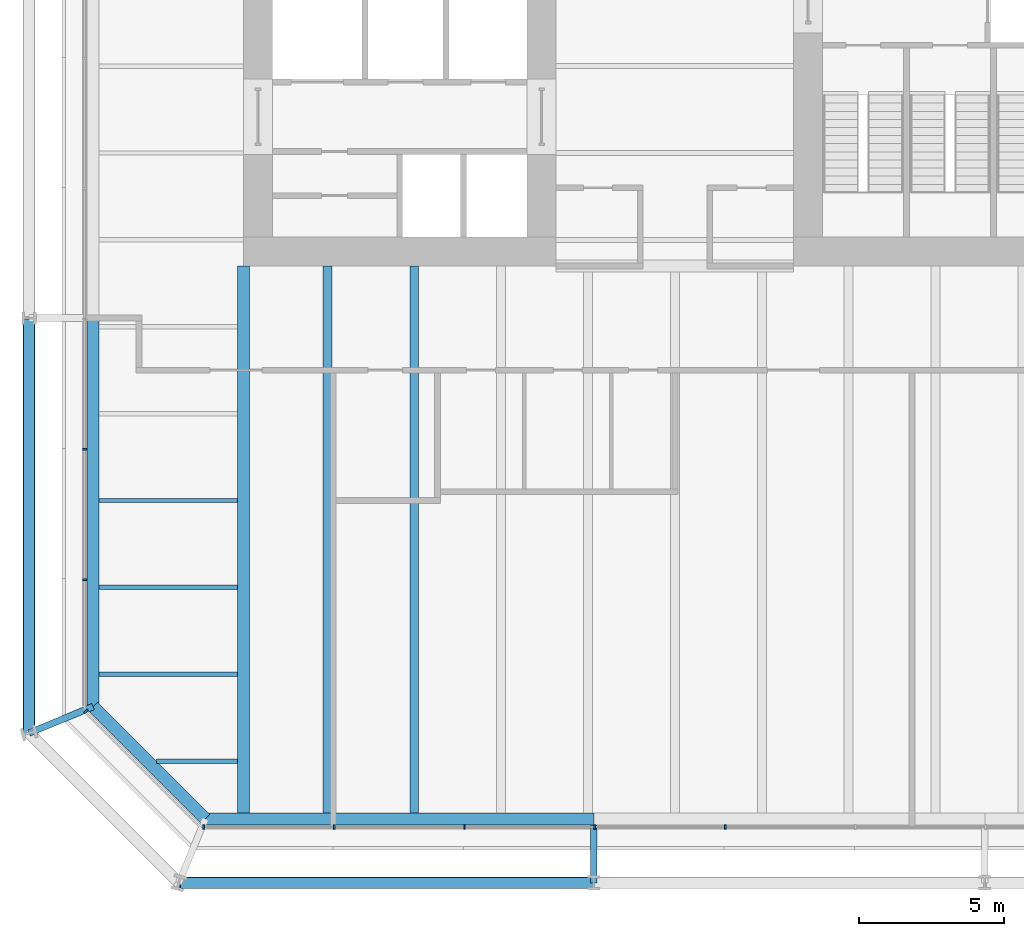
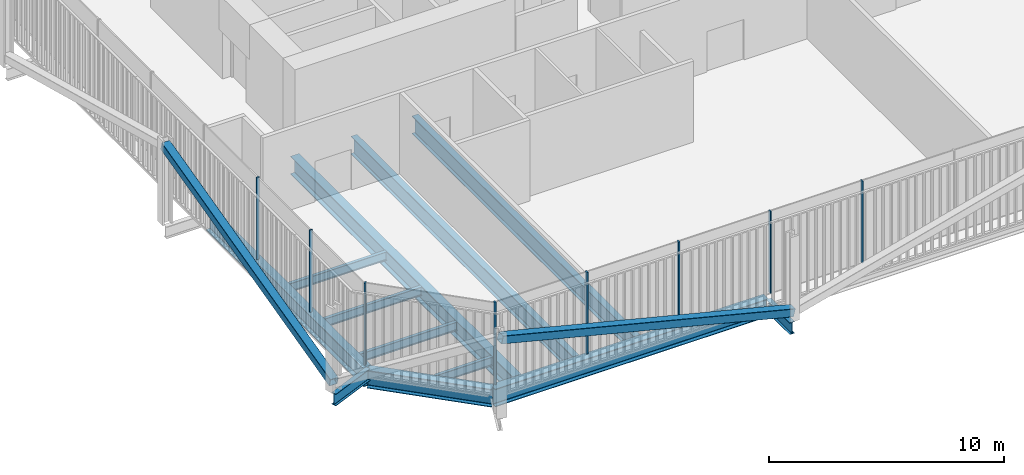
# One storey, part 2 of 21: 12 beams, 10 members, 3 elements without a shape of their own.
"""IFC4 building model written with IfcOpenShell, lengths in metres."""

from ifc_helpers import new_model, si_unit, direction, frame, origin, origin_2d, place, context, subcontext, project, spatial, rectangle, hollow_rectangle, i_section, extrude, material, layer, layer_set, material_profile, profile_set, type_object, element, aggregate, save


model = new_model("IFC4")

# Units and contexts
model_context = context("Model", 3, precision=1e-05, world=origin(), true_north=direction((0.0, 1.0)))
body_context = subcontext(model_context, "Body", "Model", "MODEL_VIEW")
ifc_project = project(units=[si_unit("LENGTHUNIT", "METRE"), si_unit("AREAUNIT", "SQUARE_METRE"), si_unit("VOLUMEUNIT", "CUBIC_METRE"), si_unit("PLANEANGLEUNIT", "RADIAN"), si_unit("MASSUNIT", "GRAM", prefix="KILO")], contexts=[model_context])

# Site, building, storey
site_placement = place(None, origin())
site = spatial("IfcSite", under=ifc_project, at=site_placement, CompositionType="ELEMENT")
building_placement = place(site_placement, origin())
building = spatial("IfcBuilding", under=site, at=building_placement, Name="Millrace Tower", CompositionType="ELEMENT")
storey_placement = place(building_placement, frame((0.0, 0.0, 90.800048828125)))
storey = spatial("IfcBuildingStorey", under=building, at=storey_placement, Name="L20", CompositionType="ELEMENT", Elevation=90.800048828125)

# Curtain wall, member
ifc_material_1 = material(Name="Aluminium and glass", Category="aluminium")
ifc_layer = layer(ifc_material_1, 0.14990234375)
ifc_layer_set = layer_set([ifc_layer], Name="Aluminium and glass")
curtain_wall_type = type_object("IfcCurtainWallType", Name="CW-3 telecom floor curtain wall", PredefinedType="NOTDEFINED", material=ifc_layer_set)
placement = place(storey_placement, origin())
curtain_wall_1 = element("IfcCurtainWall", 1, at=placement, inside=storey, type_object=curtain_wall_type, Name="Curtain wall B-F01 L20", PredefinedType="NOTDEFINED")
ifc_material_2 = material(Name="Aluminium", Category="aluminium")
ifc_material_profile_1 = material_profile(ifc_material_2, rectangle(XDim=0.06494140625, YDim=0.14990234375, at=origin_2d()))
ifc_profile_set_1 = profile_set([ifc_material_profile_1], Name="Aluminium")
member_type_1 = type_object("IfcMemberType", Name="CW-3 telecom floor curtain wall mullion", PredefinedType="MULLION", material=ifc_profile_set_1)
member_1_placement = place(storey_placement, frame((-20.330078125, -25.276123046875, 0.14990234375), z_axis=(0.0, 0.0, 1.0), x_axis=(0.707106781187, -0.707106781187, 0.0)))
member_1 = element("IfcMember", 2, at=member_1_placement, type_object=member_type_1, Name="CW3 mullion B-F01.1", PredefinedType="MULLION", context=body_context, shape_type="SweptSolid", body=[
    extrude(rectangle(XDim=0.06494140625, YDim=0.14990234375, at=origin_2d()), origin(), (0.0, 0.0, 1.0), 4.25),
])
aggregate(curtain_wall_1, [member_1])

# Curtain wall, members
curtain_wall_2 = element("IfcCurtainWall", 3, at=placement, inside=storey, type_object=curtain_wall_type, Name="Curtain wall B-F02 L20", PredefinedType="NOTDEFINED")
member_2_placement = place(storey_placement, frame((-16.267578125, -29.27490234375, 0.14990234375), z_axis=(0.0, 0.0, 1.0), x_axis=(1.0, 0.0, 0.0)))
member_2 = element("IfcMember", 4, at=member_2_placement, type_object=member_type_1, Name="CW3 mullion B-F02.1", PredefinedType="MULLION", context=body_context, shape_type="SweptSolid", body=[
    extrude(rectangle(XDim=0.06494140625, YDim=0.14990234375, at=origin_2d()), origin(), (0.0, 0.0, 1.0), 4.25),
])
member_3_placement = place(storey_placement, frame((-11.767578125, -29.27490234375, 0.14990234375), z_axis=(0.0, 0.0, 1.0), x_axis=(1.0, 0.0, 0.0)))
member_3 = element("IfcMember", 5, at=member_3_placement, type_object=member_type_1, Name="CW3 mullion B-F02.2", PredefinedType="MULLION", context=body_context, shape_type="SweptSolid", body=[
    extrude(rectangle(XDim=0.06494140625, YDim=0.14990234375, at=origin_2d()), origin(), (0.0, 0.0, 1.0), 4.25),
])
member_4_placement = place(storey_placement, frame((-7.267578125, -29.27490234375, 0.14990234375), z_axis=(0.0, 0.0, 1.0), x_axis=(1.0, 0.0, 0.0)))
member_4 = element("IfcMember", 6, at=member_4_placement, type_object=member_type_1, Name="CW3 mullion B-F02.3", PredefinedType="MULLION", context=body_context, shape_type="SweptSolid", body=[
    extrude(rectangle(XDim=0.06494140625, YDim=0.14990234375, at=origin_2d()), origin(), (0.0, 0.0, 1.0), 4.25),
])
member_5_placement = place(storey_placement, frame((-2.767578125, -29.27490234375, 0.14990234375), z_axis=(0.0, 0.0, 1.0), x_axis=(1.0, 0.0, 0.0)))
member_5 = element("IfcMember", 7, at=member_5_placement, type_object=member_type_1, Name="CW3 mullion B-F02.4", PredefinedType="MULLION", context=body_context, shape_type="SweptSolid", body=[
    extrude(rectangle(XDim=0.06494140625, YDim=0.14990234375, at=origin_2d()), origin(), (0.0, 0.0, 1.0), 4.25),
])
member_6_placement = place(storey_placement, frame((1.732421875, -29.27490234375, 0.14990234375), z_axis=(0.0, 0.0, 1.0), x_axis=(1.0, 0.0, 0.0)))
member_6 = element("IfcMember", 8, at=member_6_placement, type_object=member_type_1, Name="CW3 mullion B-F02.5", PredefinedType="MULLION", context=body_context, shape_type="SweptSolid", body=[
    extrude(rectangle(XDim=0.06494140625, YDim=0.14990234375, at=origin_2d()), origin(), (0.0, 0.0, 1.0), 4.25),
])
aggregate(curtain_wall_2, [member_2, member_3, member_4, member_5, member_6])

curtain_wall_3 = element("IfcCurtainWall", 9, at=placement, inside=storey, type_object=curtain_wall_type, Name="Curtain wall B-F08 L20", PredefinedType="NOTDEFINED")
member_7_placement = place(storey_placement, frame((-20.375, -16.232421875, 0.14990234375), z_axis=(0.0, 0.0, 1.0), x_axis=(0.0, -1.0, 0.0)))
member_7 = element("IfcMember", 10, at=member_7_placement, type_object=member_type_1, Name="CW3 mullion B-F08.8", PredefinedType="MULLION", context=body_context, shape_type="SweptSolid", body=[
    extrude(rectangle(XDim=0.06494140625, YDim=0.14990234375, at=origin_2d()), origin(), (0.0, 0.0, 1.0), 4.25),
])
member_8_placement = place(storey_placement, frame((-20.375, -20.732421875, 0.14990234375), z_axis=(0.0, 0.0, 1.0), x_axis=(0.0, -1.0, 0.0)))
member_8 = element("IfcMember", 11, at=member_8_placement, type_object=member_type_1, Name="CW3 mullion B-F08.9", PredefinedType="MULLION", context=body_context, shape_type="SweptSolid", body=[
    extrude(rectangle(XDim=0.06494140625, YDim=0.14990234375, at=origin_2d()), origin(), (0.0, 0.0, 1.0), 4.25),
])
aggregate(curtain_wall_3, [member_7, member_8])

# Members
ifc_material_3 = material(Name="Steel ASTM A500 Grade C", Category="steel")
ifc_material_profile_2 = material_profile(ifc_material_3, hollow_rectangle(XDim=0.406494140625, YDim=0.406494140625, WallThickness=0.015869140625, InnerFilletRadius=0.008056640625, OuterFilletRadius=0.02392578125, at=origin_2d()))
ifc_profile_set_2 = profile_set([ifc_material_profile_2], Name="Steel ASTM A500 Grade C")
member_type_2 = type_object("IfcMemberType", Name="Exoskeleton brace HSS16x16x5/8", PredefinedType="BRACE", material=ifc_profile_set_2)
for number, where, z_axis, x_axis, name in (
    (12, (-2.800048828125, -31.199951171875, 0.39990234375), (-0.969855058964, 0.0, 0.243682507787), (0.0, -1.0, 0.0), "BRC-B-L20-02"),
    (13, (-22.300048828125, -26.0283203125, 0.39990234375), (0.0, 0.969855058964, 0.243682507787), (-1.0, 0.0, 0.0), "BRC-B-L20-16"),
):
    element("IfcMember", number, at=place(storey_placement, frame(where, z_axis=z_axis, x_axis=x_axis)), inside=storey, type_object=member_type_2, Name=name, PredefinedType="BRACE", context=body_context, shape_type="SweptSolid", body=[
        extrude(hollow_rectangle(XDim=0.406494140625, YDim=0.406494140625, WallThickness=0.015869140625, InnerFilletRadius=0.008056640625, OuterFilletRadius=0.02392578125, at=origin_2d()), origin(), (0.0, 0.0, 1.0), 14.773681640625),
    ])

# Beams
ifc_material_4 = material(Name="Steel ASTM A992 Grade 50", Category="steel")
ifc_material_profile_3 = material_profile(ifc_material_4, i_section(OverallWidth=0.15234375, OverallDepth=0.449462890625, WebThickness=0.007568359375, FlangeThickness=0.0107421875, FilletRadius=0.01025390625, at=origin_2d()))
ifc_profile_set_3 = profile_set([ifc_material_profile_3], Name="Steel ASTM A992 Grade 50")
beam_type_1 = type_object("IfcBeamType", Name="Floor beam W18x35", PredefinedType="JOIST", material=ifc_profile_set_3)
for number, where, z_axis, x_axis, name in (
    (14, (-19.880859375, -24.0, -0.4248046875), (1.0, 0.0, 0.0), (0.0, 1.0, 0.0), "BM-B-L20-S1-S003"),
    (15, (-19.880859375, -21.0, -0.4248046875), (1.0, 0.0, 0.0), (0.0, 1.0, 0.0), "BM-B-L20-S1-S005"),
    (16, (-19.880859375, -18.0, -0.4248046875), (1.0, 0.0, 0.0), (0.0, 1.0, 0.0), "BM-B-L20-S1-S007"),
):
    element("IfcBeam", number, at=place(storey_placement, frame(where, z_axis=z_axis, x_axis=x_axis)), inside=storey, type_object=beam_type_1, Name=name, PredefinedType="JOIST", context=body_context, shape_type="SweptSolid", body=[
        extrude(i_section(OverallWidth=0.15234375, OverallDepth=0.449462890625, WebThickness=0.007568359375, FlangeThickness=0.0107421875, FilletRadius=0.01025390625, at=origin_2d()), origin(), (0.0, 0.0, 1.0), 4.77001953125),
    ])
beam_1_placement = place(storey_placement, frame((-17.895263671875, -27.0, -0.4248046875), z_axis=(1.0, 0.0, 0.0), x_axis=(0.0, 1.0, 0.0)))
element("IfcBeam", 17, at=beam_1_placement, inside=storey, type_object=beam_type_1, Name="BM-B-L20-S1-S001", PredefinedType="JOIST", context=body_context, shape_type="SweptSolid", body=[
    extrude(i_section(OverallWidth=0.15234375, OverallDepth=0.449462890625, WebThickness=0.007568359375, FlangeThickness=0.0107421875, FilletRadius=0.01025390625, at=origin_2d()), origin(), (0.0, 0.0, 1.0), 2.784423828125),
])
ifc_material_5 = material(Name="Steel ASTM A992 Grade 50", Category="steel")
ifc_material_profile_4 = material_profile(ifc_material_5, i_section(OverallWidth=0.307373046875, OverallDepth=0.927001953125, WebThickness=0.01953125, FlangeThickness=0.031982421875, FilletRadius=0.01904296875, at=origin_2d()))
ifc_profile_set_4 = profile_set([ifc_material_profile_4], Name="Steel ASTM A992 Grade 50")
beam_type_2 = type_object("IfcBeamType", Name="Floor beam W36x194", PredefinedType="JOIST", material=ifc_profile_set_4)
for number, where, z_axis, x_axis, name in (
    (18, (-12.0, -28.781005859375, -0.66357421875), (0.0, 1.0, 0.0), (-1.0, 0.0, 0.0), "BM-B-L20-S1-S041"),
    (19, (-9.0, -28.781005859375, -0.66357421875), (0.0, 1.0, 0.0), (-1.0, 0.0, 0.0), "BM-B-L20-S1-S043"),
):
    element("IfcBeam", number, at=place(storey_placement, frame(where, z_axis=z_axis, x_axis=x_axis)), inside=storey, type_object=beam_type_2, Name=name, PredefinedType="JOIST", context=body_context, shape_type="SweptSolid", body=[
        extrude(i_section(OverallWidth=0.307373046875, OverallDepth=0.927001953125, WebThickness=0.01953125, FlangeThickness=0.031982421875, FilletRadius=0.01904296875, at=origin_2d()), origin(), (0.0, 0.0, 1.0), 18.881103515625),
    ])
ifc_material_6 = material(Name="Steel ASTM A992 Grade 50", Category="steel")
ifc_material_profile_5 = material_profile(ifc_material_6, i_section(OverallWidth=0.424072265625, OverallDepth=0.947509765625, WebThickness=0.02392578125, FlangeThickness=0.042724609375, FilletRadius=0.024169921875, at=origin_2d()))
ifc_profile_set_5 = profile_set([ifc_material_profile_5], Name="Steel ASTM A992 Grade 50")
beam_type_3 = type_object("IfcBeamType", Name="Girder medium span W36x302", PredefinedType="BEAM", material=ifc_profile_set_5)
beam_2_placement = place(storey_placement, frame((-14.89990234375, -28.781005859375, -0.673828125), z_axis=(0.0, 1.0, 0.0), x_axis=(-1.0, 0.0, 0.0)))
element("IfcBeam", 20, at=beam_2_placement, inside=storey, type_object=beam_type_3, Name="BM-B-L20-S1-G059", PredefinedType="BEAM", context=body_context, shape_type="SweptSolid", body=[
    extrude(i_section(OverallWidth=0.424072265625, OverallDepth=0.947509765625, WebThickness=0.02392578125, FlangeThickness=0.042724609375, FilletRadius=0.024169921875, at=origin_2d()), origin(), (0.0, 0.0, 1.0), 18.881103515625),
])
ifc_material_7 = material(Name="Steel ASTM A992 Grade 50", Category="steel")
ifc_material_profile_6 = material_profile(ifc_material_7, i_section(OverallWidth=0.23046875, OverallDepth=0.6171875, WebThickness=0.01318359375, FlangeThickness=0.022216796875, FilletRadius=0.012939453125, at=origin_2d()))
ifc_profile_set_6 = profile_set([ifc_material_profile_6], Name="Steel ASTM A992 Grade 50")
beam_type_4 = type_object("IfcBeamType", Name="Link beam W24x94", PredefinedType="BEAM", material=ifc_profile_set_6)
beam_3_placement = place(storey_placement, frame((-20.09033203125, -25.11328125, -0.508544921875), z_axis=(-0.923917312949, -0.382592209583, 0.0), x_axis=(0.382592209583, -0.923917312949, 0.0)))
element("IfcBeam", 21, at=beam_3_placement, inside=storey, type_object=beam_type_4, Name="LNK-B-L20-S1-01", PredefinedType="BEAM", context=body_context, shape_type="SweptSolid", body=[
    extrude(i_section(OverallWidth=0.23046875, OverallDepth=0.6171875, WebThickness=0.01318359375, FlangeThickness=0.022216796875, FilletRadius=0.012939453125, at=origin_2d()), origin(), (0.0, 0.0, 1.0), 2.3916015625),
])
beam_4_placement = place(storey_placement, frame((-2.800048828125, -29.199951171875, -0.508544921875), z_axis=(0.0, -1.0, 0.0), x_axis=(1.0, 0.0, 0.0)))
element("IfcBeam", 22, at=beam_4_placement, inside=storey, type_object=beam_type_4, Name="LNK-B-L20-S1-15", PredefinedType="BEAM", context=body_context, shape_type="SweptSolid", body=[
    extrude(i_section(OverallWidth=0.23046875, OverallDepth=0.6171875, WebThickness=0.01318359375, FlangeThickness=0.022216796875, FilletRadius=0.012939453125, at=origin_2d()), origin(), (0.0, 0.0, 1.0), 2.0),
])
ifc_material_8 = material(Name="Steel ASTM A992 Grade 50", Category="steel")
ifc_material_profile_7 = material_profile(ifc_material_8, i_section(OverallWidth=0.419189453125, OverallDepth=0.927001953125, WebThickness=0.019287109375, FlangeThickness=0.031982421875, FilletRadius=0.024169921875, at=origin_2d()))
ifc_profile_set_7 = profile_set([ifc_material_profile_7], Name="Steel ASTM A992 Grade 50")
beam_type_5 = type_object("IfcBeamType", Name="Ring beam medium span W36x231", PredefinedType="SPANDREL", material=ifc_profile_set_7)
beam_5_placement = place(storey_placement, frame((-20.09033203125, -25.11328125, -0.66357421875), z_axis=(0.0, 1.0, 0.0), x_axis=(-1.0, 0.0, 0.0)))
element("IfcBeam", 23, at=beam_5_placement, inside=storey, type_object=beam_type_5, Name="RNG-B-L20-S1-01", PredefinedType="SPANDREL", context=body_context, shape_type="SweptSolid", body=[
    extrude(i_section(OverallWidth=0.419189453125, OverallDepth=0.927001953125, WebThickness=0.019287109375, FlangeThickness=0.031982421875, FilletRadius=0.024169921875, at=origin_2d()), origin(), (0.0, 0.0, 1.0), 13.413330078125),
])
beam_6_placement = place(storey_placement, frame((-2.800048828125, -28.990478515625, -0.66357421875), z_axis=(-1.0, 0.0, 0.0), x_axis=(0.0, -1.0, 0.0)))
element("IfcBeam", 24, at=beam_6_placement, inside=storey, type_object=beam_type_5, Name="RNG-B-L20-S1-15", PredefinedType="SPANDREL", context=body_context, shape_type="SweptSolid", body=[
    extrude(i_section(OverallWidth=0.419189453125, OverallDepth=0.927001953125, WebThickness=0.019287109375, FlangeThickness=0.031982421875, FilletRadius=0.024169921875, at=origin_2d()), origin(), (0.0, 0.0, 1.0), 13.4130859375),
])
ifc_material_9 = material(Name="Steel ASTM A992 Grade 50", Category="steel")
ifc_material_profile_8 = material_profile(ifc_material_9, i_section(OverallWidth=0.419189453125, OverallDepth=0.927001953125, WebThickness=0.019287109375, FlangeThickness=0.031982421875, FilletRadius=0.024169921875, at=origin_2d()))
ifc_profile_set_8 = profile_set([ifc_material_profile_8], Name="Steel ASTM A992 Grade 50")
beam_type_6 = type_object("IfcBeamType", Name="Ring beam short span W36x231", PredefinedType="SPANDREL", material=ifc_profile_set_8)
beam_7_placement = place(storey_placement, frame((-16.213134765625, -28.990478515625, -0.66357421875), z_axis=(-0.707106781187, 0.707106781187, 0.0), x_axis=(-0.707106781187, -0.707106781187, 0.0)))
element("IfcBeam", 25, at=beam_7_placement, inside=storey, type_object=beam_type_6, Name="RNG-B-L20-S1-16", PredefinedType="SPANDREL", context=body_context, shape_type="SweptSolid", body=[
    extrude(i_section(OverallWidth=0.419189453125, OverallDepth=0.927001953125, WebThickness=0.019287109375, FlangeThickness=0.031982421875, FilletRadius=0.024169921875, at=origin_2d()), origin(), (0.0, 0.0, 1.0), 5.483154296875),
])

save(model, "model.ifc")
